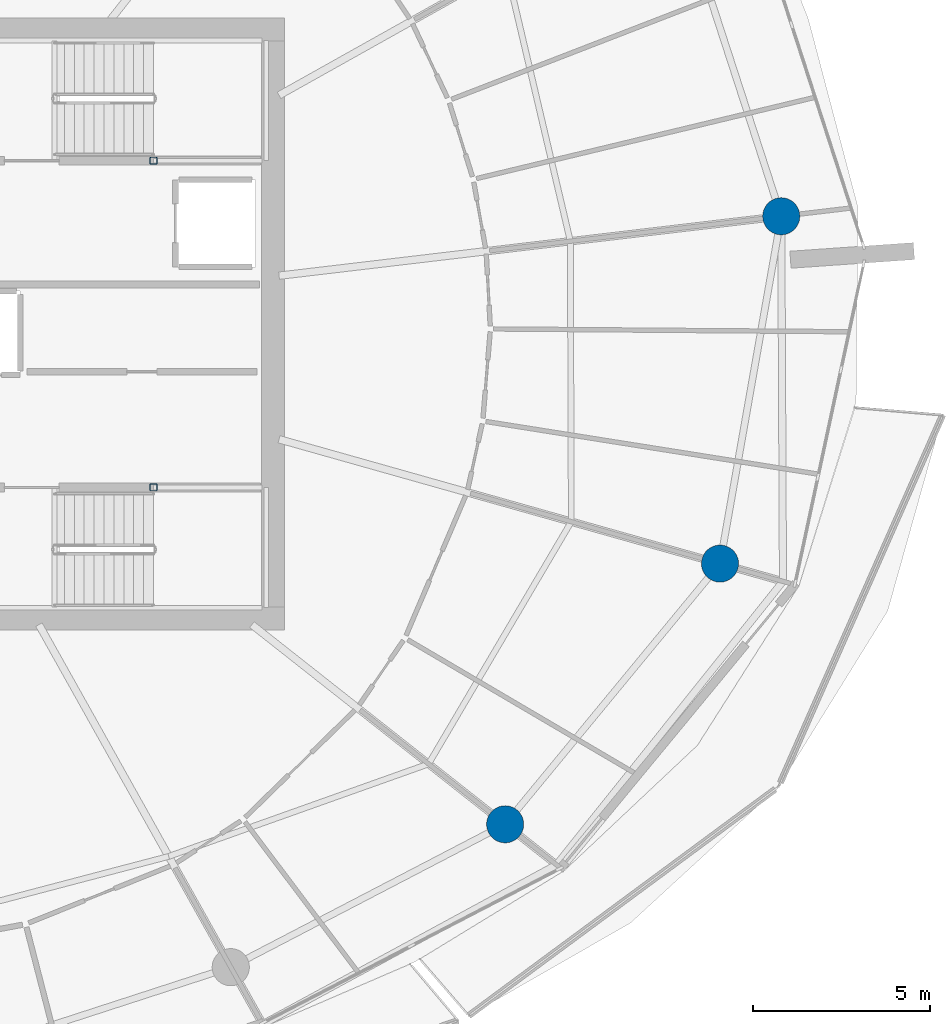
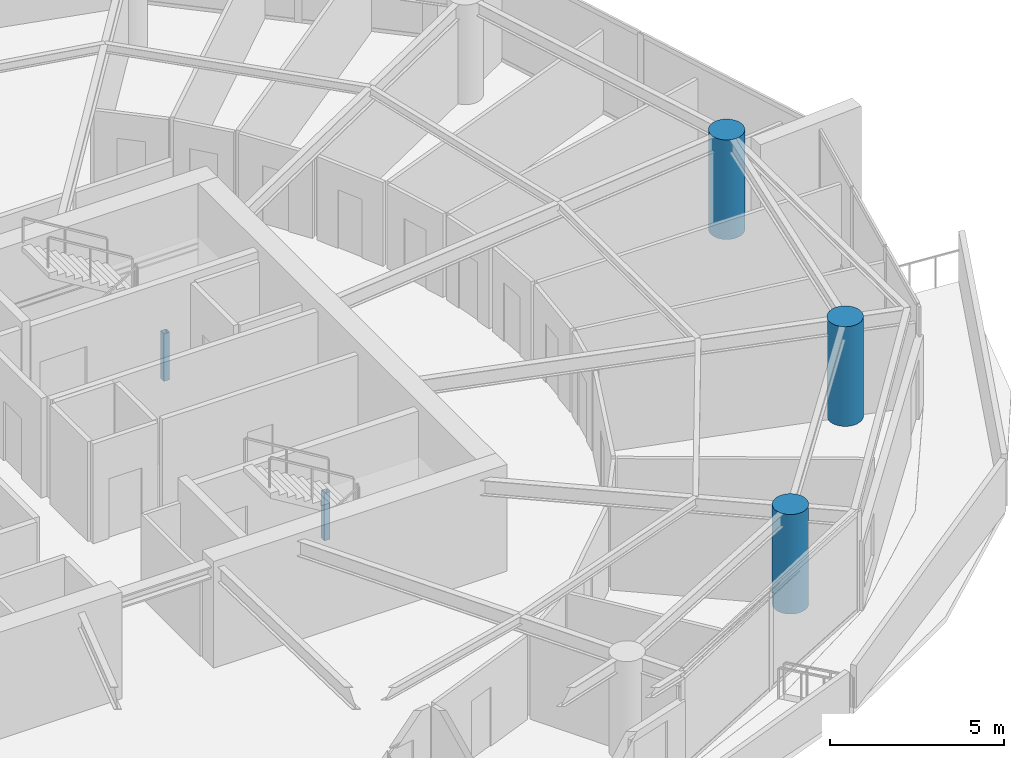
# One storey, part 3 of 21: 5 columns.
"""IFC4 building model written with IfcOpenShell, lengths in metres."""

import ifcopenshell
import ifcopenshell.guid

model = None  # the IFC model being written
_history = None  # IfcOwnerHistory: only IFC2X3 demands one
_inside = {}  # id of a spatial element -> (the spatial element, [elements in it])
_under = {}  # id of a project, library or spatial element -> (it, [spatial elements below it])
_declared = {}  # id of a project -> (the project, [libraries it declares])
_typed = {}  # id of a type object -> (the type object, [elements of that type])
_made_of = {}  # id of a material, layer set ... -> (it, [elements and type objects made of it])


def new_model(schema):
    """Start an empty IFC model of exactly this schema.

    Asked for "IFC4X3", IfcOpenShell would pick the latest addendum, in which some entities
    have other attributes; the version numbers below select the first issue.
    IFC2X3 requires an IfcOwnerHistory on every rooted entity: one is made here for all.
    """
    global model, _history
    if schema == "IFC4X3":
        model = ifcopenshell.file(schema_version=(4, 3, 0, 0))
    else:
        model = ifcopenshell.file(schema=schema)
    _inside.clear()
    _under.clear()
    _declared.clear()
    _typed.clear()
    _made_of.clear()
    _history = None
    if model.schema == "IFC2X3":
        org = make("IfcOrganization", Name="unknown")
        user = make(
            "IfcPersonAndOrganization",
            ThePerson=make("IfcPerson", FamilyName="unknown"),
            TheOrganization=org,
        )
        app = make(
            "IfcApplication",
            ApplicationDeveloper=org,
            Version="unknown",
            ApplicationFullName="unknown",
            ApplicationIdentifier="unknown",
        )
        _history = make(
            "IfcOwnerHistory",
            OwningUser=user,
            OwningApplication=app,
            ChangeAction="ADDED",
            CreationDate=0,
        )
    return model


def make(cls, **values):
    """One entity of the class cls with the attributes given. An attribute that is None is left unset."""
    return model.create_entity(
        cls, **{name: value for name, value in values.items() if value is not None}
    )


def rooted(cls, **values):
    """An entity with a GlobalId (a new one), such as an element, a storey or a relation."""
    return make(cls, GlobalId=ifcopenshell.guid.new(), OwnerHistory=_history, **values)


def si_unit(unit_type, name, prefix=None):
    """IfcSIUnit, for example si_unit("LENGTHUNIT", "METRE", prefix="MILLI")."""
    return make("IfcSIUnit", UnitType=unit_type, Prefix=prefix, Name=name)


def assignment(units):
    """IfcUnitAssignment: the units of a project."""
    return None if units is None else make("IfcUnitAssignment", Units=units)


def point(xyz):
    """IfcCartesianPoint."""
    return None if xyz is None else make("IfcCartesianPoint", Coordinates=xyz)


def direction(xyz):
    """IfcDirection."""
    return None if xyz is None else make("IfcDirection", DirectionRatios=xyz)


def frame(location, z_axis=None, x_axis=None):
    """IfcAxis2Placement3D, a coordinate frame: its origin and axes. An axis left out is left unset."""
    return make(
        "IfcAxis2Placement3D",
        Location=point(location),
        Axis=direction(z_axis),
        RefDirection=direction(x_axis),
    )


def frame_2d(location, x_axis=None):
    """IfcAxis2Placement2D, a coordinate frame in the plane: its origin and x axis."""
    return make(
        "IfcAxis2Placement2D", Location=point(location), RefDirection=direction(x_axis)
    )


def origin():
    """The frame at (0, 0, 0) with its axes left unset."""
    return frame((0.0, 0.0, 0.0))


def origin_2d():
    """The frame at (0, 0) in the plane with its x axis left unset."""
    return frame_2d((0.0, 0.0))


def place(relative_to, where):
    """IfcLocalPlacement: puts the frame where relative to a parent placement (None: the world)."""
    return make(
        "IfcLocalPlacement", PlacementRelTo=relative_to, RelativePlacement=where
    )


def context(
    kind, dimensions, precision=None, world=None, true_north=None, identifier=None
):
    """IfcGeometricRepresentationContext, for example the 3D "Model" context."""
    return make(
        "IfcGeometricRepresentationContext",
        ContextIdentifier=identifier,
        ContextType=kind,
        CoordinateSpaceDimension=dimensions,
        Precision=precision,
        WorldCoordinateSystem=world,
        TrueNorth=true_north,
    )


def subcontext(parent, identifier, kind, view, scale=None):
    """IfcGeometricRepresentationSubContext, for example "Body" below "Model"."""
    return make(
        "IfcGeometricRepresentationSubContext",
        ContextIdentifier=identifier,
        ContextType=kind,
        ParentContext=parent,
        TargetScale=scale,
        TargetView=view,
    )


def project(units=None, contexts=None):
    """IfcProject with its units and contexts."""
    return rooted(
        "IfcProject",
        Name="project",
        RepresentationContexts=contexts,
        UnitsInContext=assignment(units),
    )


def spatial(cls, under=None, at=None, **own):
    """A site, building, storey or space (cls), placed at a placement, below another one or the project."""
    s = rooted(cls, ObjectPlacement=at, **own)
    if under is not None:
        _under.setdefault(under.id(), (under, []))[1].append(s)
    return s


def profile(cls, at=None, kind="AREA", **sizes):
    """A parametric profile (cls). Its sizes go by their IFC names, for example OverallWidth=200.0."""
    return make(cls, ProfileType=kind, Position=at, **sizes)


def hollow_rectangle(**sizes):
    """IfcRectangleHollowProfileDef."""
    return profile("IfcRectangleHollowProfileDef", **sizes)


def circle(**sizes):
    """IfcCircleProfileDef."""
    return profile("IfcCircleProfileDef", **sizes)


def extrude(swept, where, along, depth):
    """IfcExtrudedAreaSolid: the profile swept, set in the frame where, extruded along a direction by depth."""
    return make(
        "IfcExtrudedAreaSolid",
        SweptArea=swept,
        Position=where,
        ExtrudedDirection=direction(along),
        Depth=depth,
    )


def shape(context_of_items, identifier, shape_type, items):
    """IfcShapeRepresentation: the items that make up one representation, for example the "Body"."""
    return make(
        "IfcShapeRepresentation",
        ContextOfItems=context_of_items,
        RepresentationIdentifier=identifier,
        RepresentationType=shape_type,
        Items=items,
    )


def material(Name=None, Category=None):
    """IfcMaterial."""
    return make("IfcMaterial", Name=Name, Category=Category)


def material_profile(
    of_material, cross_section, Name=None, Category=None, Priority=None
):
    """IfcMaterialProfile: a cross section and its material."""
    return make(
        "IfcMaterialProfile",
        Name=Name,
        Material=of_material,
        Profile=cross_section,
        Priority=Priority,
        Category=Category,
    )


def profile_set(profiles, Name=None, composite=None):
    """IfcMaterialProfileSet."""
    return make(
        "IfcMaterialProfileSet",
        Name=Name,
        MaterialProfiles=profiles,
        CompositeProfile=composite,
    )


def made_of(thing, what):
    """Note that an element or type object is made of a material, layer set ...; save() writes the relation."""
    if what is not None:
        _made_of.setdefault(what.id(), (what, []))[1].append(thing)
    return thing


def type_object(cls, material=None, **own):
    """A type object (cls), such as IfcWallType, which elements share."""
    return made_of(rooted(cls, **own), material)


def element(
    cls,
    number,
    at=None,
    inside=None,
    cuts=None,
    type_object=None,
    material=None,
    context=None,
    identifier="Body",
    shape_type=None,
    held_by="IfcProductDefinitionShape",
    body=None,
    shapes=None,
    **own,
):
    """One element of the class cls, such as IfcWall. Its Tag is "e" and its number.

    at: its placement. inside: the storey or other place that contains it. cuts: it is an
    opening in that element (IfcRelVoidsElement). A single representation is given by context,
    identifier, shape_type and body (its items); several are given by shapes. held_by: the class
    of the entity that holds the representations. save() writes the other relations.
    """
    e = rooted(cls, Tag="e%d" % number, ObjectPlacement=at, **own)
    if body is not None:
        shapes = [shape(context, identifier, shape_type, body)]
    if shapes is not None:
        e.Representation = make(held_by, Representations=shapes)
    if inside is not None:
        _inside.setdefault(inside.id(), (inside, []))[1].append(e)
    if cuts is not None:
        rooted(
            "IfcRelVoidsElement", RelatingBuildingElement=cuts, RelatedOpeningElement=e
        )
    if type_object is not None:
        _typed.setdefault(type_object.id(), (type_object, []))[1].append(e)
    return made_of(e, material)


def aggregate(whole, parts):
    """IfcRelAggregates: a whole, such as a stair, and the parts it consists of."""
    return rooted("IfcRelAggregates", RelatingObject=whole, RelatedObjects=parts)


def save(model, path):
    """Write the relations noted so far, then the file.

    IfcRelAggregates (storeys below a building ...), IfcRelContainedInSpatialStructure (elements
    in a storey), IfcRelDefinesByType, IfcRelAssociatesMaterial and IfcRelDeclares: one each for
    every whole, place, type object, material and project.
    """
    for whole, parts in _under.values():
        aggregate(whole, parts)
    for where, things in _inside.values():
        rooted(
            "IfcRelContainedInSpatialStructure",
            RelatedElements=things,
            RelatingStructure=where,
        )
    for kind, things in _typed.values():
        rooted("IfcRelDefinesByType", RelatedObjects=things, RelatingType=kind)
    for what, things in _made_of.values():
        rooted("IfcRelAssociatesMaterial", RelatedObjects=things, RelatingMaterial=what)
    for by, libraries in _declared.values():
        rooted("IfcRelDeclares", RelatingContext=by, RelatedDefinitions=libraries)
    model.write(path)


model = new_model("IFC4")

# Units and contexts
model_context = context("Model", 3, precision=1e-05, world=origin(), true_north=direction((0.0, 1.0)))
body_context = subcontext(model_context, "Body", "Model", "MODEL_VIEW")
ifc_project = project(units=[si_unit("LENGTHUNIT", "METRE"), si_unit("AREAUNIT", "SQUARE_METRE"), si_unit("VOLUMEUNIT", "CUBIC_METRE"), si_unit("PLANEANGLEUNIT", "RADIAN"), si_unit("MASSUNIT", "GRAM", prefix="KILO")], contexts=[model_context])

# Site, building, storey
site_placement = place(None, origin())
site = spatial("IfcSite", under=ifc_project, at=site_placement, CompositionType="ELEMENT")
building_placement = place(site_placement, origin())
building = spatial("IfcBuilding", under=site, at=building_placement, Name="Kazma Halo Residences", CompositionType="ELEMENT")
storey_placement = place(building_placement, frame((0.0, 0.0, 184.050048828125)))
storey = spatial("IfcBuildingStorey", under=building, at=storey_placement, Name="L46", CompositionType="ELEMENT", Elevation=184.050048828125)

# Columns
ifc_material_1 = material(Name="Steel S355", Category="steel")
ifc_material_profile_1 = material_profile(ifc_material_1, hollow_rectangle(XDim=0.199951171875, YDim=0.199951171875, WallThickness=0.010009765625, InnerFilletRadius=0.010009765625, OuterFilletRadius=0.02001953125, at=origin_2d()), Name="SHS200x200x10")
ifc_profile_set_1 = profile_set([ifc_material_profile_1], Name="Steel S355")
column_type_1 = type_object("IfcColumnType", Name="COL-LP-SHS200", PredefinedType="COLUMN", material=ifc_profile_set_1)
for number, where, z_axis, x_axis, name in (
    (1, (56.0, 46.6201171875, 0.0), (0.0, 0.0, 1.0), (1.0, 0.0, 0.0), "L46 ST-02 landing pilaster 1"),
    (2, (56.0, 37.3798828125, 0.0), (0.0, 0.0, 1.0), (1.0, 0.0, 0.0), "L46 ST-03 landing pilaster 1"),
):
    element("IfcColumn", number, at=place(storey_placement, frame(where, z_axis=z_axis, x_axis=x_axis)), inside=storey, type_object=column_type_1, Name=name, PredefinedType="COLUMN", context=body_context, shape_type="SweptSolid", body=[
        extrude(hollow_rectangle(XDim=0.199951171875, YDim=0.199951171875, WallThickness=0.010009765625, InnerFilletRadius=0.010009765625, OuterFilletRadius=0.02001953125, at=origin_2d()), origin(), (0.0, 0.0, 1.0), 1.669921875),
    ])
ifc_material_2 = material(Name="Concrete C80/95", Category="concrete")
ifc_material_profile_2 = material_profile(ifc_material_2, circle(Radius=0.52490234375, at=origin_2d()), Name="CIRC1050")
ifc_profile_set_2 = profile_set([ifc_material_profile_2], Name="Concrete C80/95")
column_type_2 = type_object("IfcColumnType", Name="COL-PERIM-1050", PredefinedType="COLUMN", material=ifc_profile_set_2)
for number, where, z_axis, x_axis, name in (
    (3, (65.944091796875, 27.85400390625, 0.0), (0.0, 0.0, 1.0), (1.0, 0.0, 0.0), "L46 perimeter ring column P14"),
    (4, (72.019775390625, 35.2255859375, 0.0), (0.0, 0.0, 1.0), (1.0, 0.0, 0.0), "L46 perimeter ring column P15"),
    (5, (73.751708984375, 45.0478515625, 0.0), (0.0, 0.0, 1.0), (1.0, 0.0, 0.0), "L46 perimeter ring column P16"),
):
    element("IfcColumn", number, at=place(storey_placement, frame(where, z_axis=z_axis, x_axis=x_axis)), inside=storey, type_object=column_type_2, Name=name, PredefinedType="COLUMN", context=body_context, shape_type="SweptSolid", body=[
        extrude(circle(Radius=0.52490234375, at=origin_2d()), origin(), (0.0, 0.0, 1.0), 3.5),
    ])

save(model, "model.ifc")
